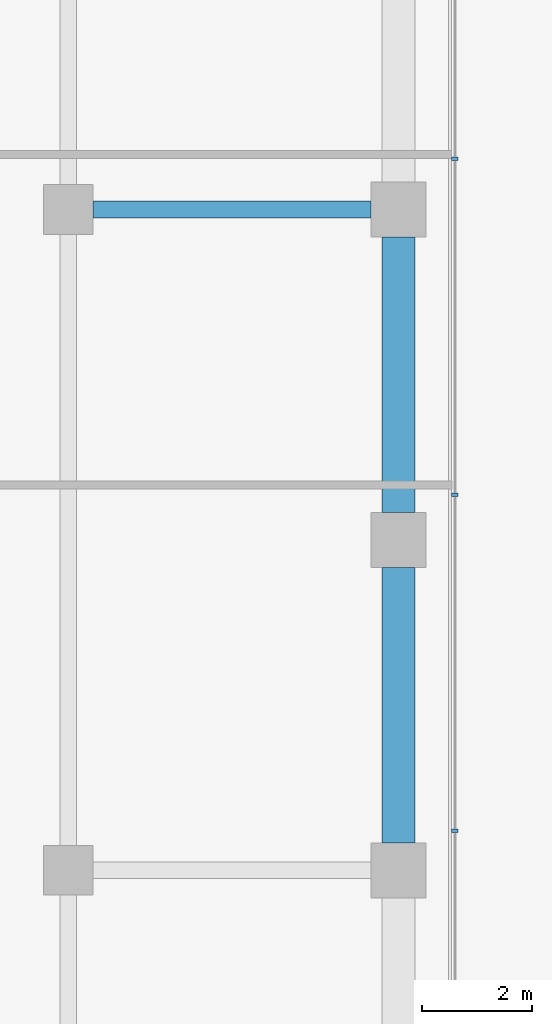
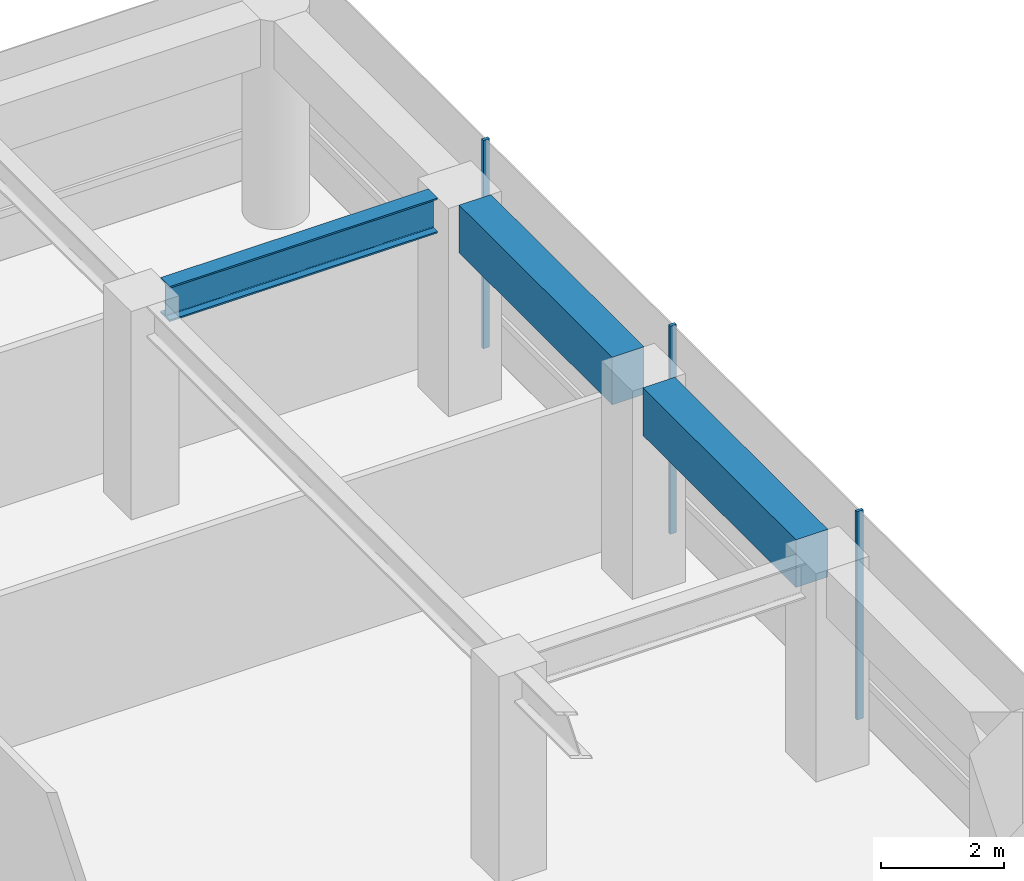
# One storey, part 17 of 24: 3 beams, 3 members, 1 element without a shape of its own.
"""IFC4 building model written with IfcOpenShell, lengths in metres."""

from ifc_helpers import new_model, si_unit, direction, frame, origin, origin_2d, place, context, subcontext, project, spatial, rectangle, i_section, extrude, material, layer, layer_set, material_profile, profile_set, type_object, element, aggregate, save


model = new_model("IFC4")

# Units and contexts
model_context = context("Model", 3, precision=1e-05, world=origin(), true_north=direction((0.0, 1.0)))
body_context = subcontext(model_context, "Body", "Model", "MODEL_VIEW")
ifc_project = project(units=[si_unit("LENGTHUNIT", "METRE"), si_unit("AREAUNIT", "SQUARE_METRE"), si_unit("VOLUMEUNIT", "CUBIC_METRE"), si_unit("PLANEANGLEUNIT", "RADIAN"), si_unit("MASSUNIT", "GRAM", prefix="KILO")], contexts=[model_context])

# Site, building, storey
site_placement = place(None, origin())
site = spatial("IfcSite", under=ifc_project, at=site_placement, CompositionType="ELEMENT")
building_placement = place(site_placement, origin())
building = spatial("IfcBuilding", under=site, at=building_placement, Name="Welwitschia Terrace Campus", CompositionType="ELEMENT")
storey_placement = place(building_placement, frame((0.0, 0.0, 15.5)))
storey = spatial("IfcBuildingStorey", under=building, at=storey_placement, Name="L03", CompositionType="ELEMENT", Elevation=15.5)

# Curtain wall, members
ifc_material_1 = material(Name="Bronze anodised aluminium", Category="aluminium")
ifc_layer = layer(ifc_material_1, 0.1201171875)
ifc_layer_set = layer_set([ifc_layer], Name="Bronze anodised aluminium")
curtain_wall_type = type_object("IfcCurtainWallType", Name="Curtain wall CW2 tower 6000", PredefinedType="NOTDEFINED", material=ifc_layer_set)
curtain_wall_placement = place(storey_placement, origin())
curtain_wall = element("IfcCurtainWall", 1, at=curtain_wall_placement, inside=storey, type_object=curtain_wall_type, Name="CW L03.7.0", PredefinedType="NOTDEFINED")
ifc_material_2 = material(Name="Bronze anodised aluminium", Category="aluminium")
ifc_material_profile_1 = material_profile(ifc_material_2, rectangle(XDim=0.1201171875, YDim=0.06005859375, at=origin_2d()))
ifc_profile_set_1 = profile_set([ifc_material_profile_1], Name="Bronze anodised aluminium")
member_type = type_object("IfcMemberType", Name="Mullion 60x120", PredefinedType="MULLION", material=ifc_profile_set_1)
member_1_placement = place(storey_placement, frame((25.02001953125, 44.72119140625, 0.0), z_axis=(0.0, 0.0, 1.0), x_axis=(-1.0, 0.0, 0.0)))
member_1 = element("IfcMember", 2, at=member_1_placement, type_object=member_type, Name="Mullion L03.7.0.3", PredefinedType="MULLION", context=body_context, shape_type="SweptSolid", body=[
    extrude(rectangle(XDim=0.1201171875, YDim=0.06005859375, at=origin_2d()), origin(), (0.0, 0.0, 1.0), 4.14990234375),
])
member_2_placement = place(storey_placement, frame((25.02001953125, 50.82080078125, 0.0), z_axis=(0.0, 0.0, 1.0), x_axis=(-1.0, 0.0, 0.0)))
member_2 = element("IfcMember", 3, at=member_2_placement, type_object=member_type, Name="Mullion L03.7.0.4", PredefinedType="MULLION", context=body_context, shape_type="SweptSolid", body=[
    extrude(rectangle(XDim=0.1201171875, YDim=0.06005859375, at=origin_2d()), origin(), (0.0, 0.0, 1.0), 4.14990234375),
])
member_3_placement = place(storey_placement, frame((25.02001953125, 56.92041015625, 0.0), z_axis=(0.0, 0.0, 1.0), x_axis=(-1.0, 0.0, 0.0)))
member_3 = element("IfcMember", 4, at=member_3_placement, type_object=member_type, Name="Mullion L03.7.0.5", PredefinedType="MULLION", context=body_context, shape_type="SweptSolid", body=[
    extrude(rectangle(XDim=0.1201171875, YDim=0.06005859375, at=origin_2d()), origin(), (0.0, 0.0, 1.0), 4.14990234375),
])
aggregate(curtain_wall, [member_1, member_2, member_3])

# Beams
ifc_material_3 = material(Name="Steel S355", Category="steel")
ifc_material_profile_2 = material_profile(ifc_material_3, i_section(OverallWidth=0.300048828125, OverallDepth=0.699951171875, WebThickness=0.01708984375, FlangeThickness=0.031982421875, FilletRadius=0.027099609375, at=origin_2d()))
ifc_profile_set_2 = profile_set([ifc_material_profile_2], Name="Steel S355")
beam_type_1 = type_object("IfcBeamType", Name="Primary beam HE 700 B", PredefinedType="BEAM", material=ifc_profile_set_2)
beam_placement = place(storey_placement, frame((23.49951171875, 56.0, 3.800048828125), z_axis=(-1.0, 0.0, 0.0), x_axis=(0.0, -1.0, 0.0)))
element("IfcBeam", 5, at=beam_placement, inside=storey, type_object=beam_type_1, Name="Primary beam PB1", PredefinedType="BEAM", context=body_context, shape_type="SweptSolid", body=[
    extrude(i_section(OverallWidth=0.300048828125, OverallDepth=0.699951171875, WebThickness=0.01708984375, FlangeThickness=0.031982421875, FilletRadius=0.027099609375, at=origin_2d()), origin(), (0.0, 0.0, 1.0), 5.049072265625),
])
ifc_material_4 = material(Name="Concrete C60/75", Category="concrete")
ifc_material_profile_3 = material_profile(ifc_material_4, rectangle(XDim=0.60009765625, YDim=0.949951171875, at=origin_2d()))
ifc_profile_set_3 = profile_set([ifc_material_profile_3], Name="Concrete C60/75")
beam_type_2 = type_object("IfcBeamType", Name="Ring spandrel 600x950", PredefinedType="SPANDREL", material=ifc_profile_set_3)
for number, where, z_axis, x_axis, name in (
    (6, (24.0, 44.50048828125, 3.675048828125), (0.0, 1.0, 0.0), (-1.0, 0.0, 0.0), "Spandrel SP1"),
    (7, (24.0, 50.50048828125, 3.675048828125), (0.0, 1.0, 0.0), (-1.0, 0.0, 0.0), "Spandrel SP1"),
):
    element("IfcBeam", number, at=place(storey_placement, frame(where, z_axis=z_axis, x_axis=x_axis)), inside=storey, type_object=beam_type_2, Name=name, PredefinedType="SPANDREL", context=body_context, shape_type="SweptSolid", body=[
        extrude(rectangle(XDim=0.60009765625, YDim=0.949951171875, at=origin_2d()), origin(), (0.0, 0.0, 1.0), 4.9990234375),
    ])

save(model, "model.ifc")
